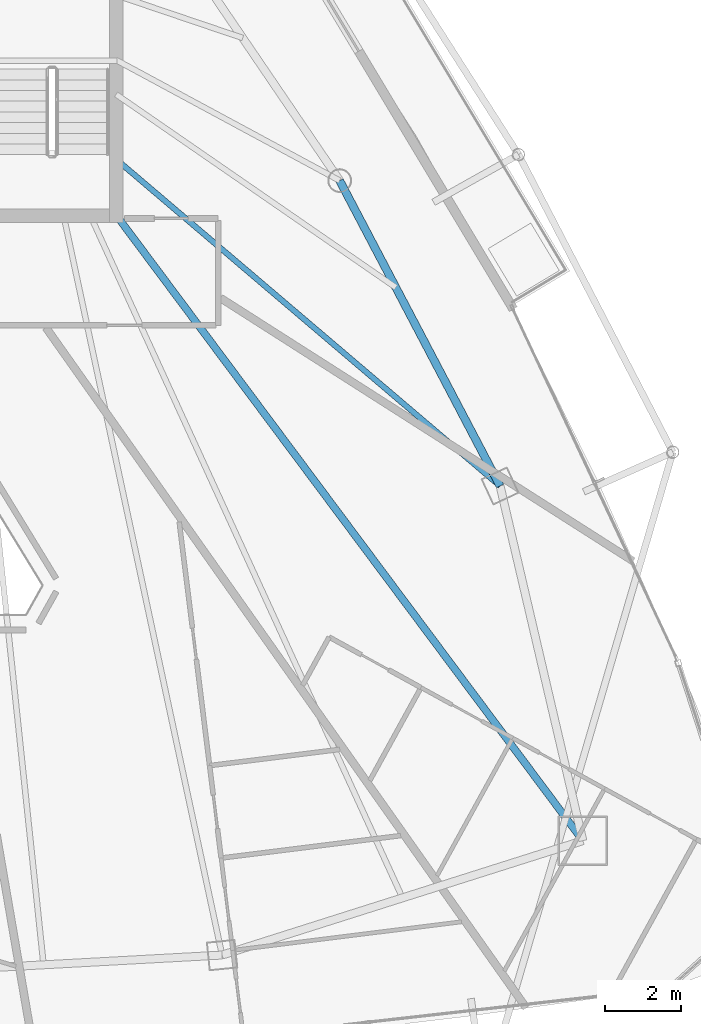
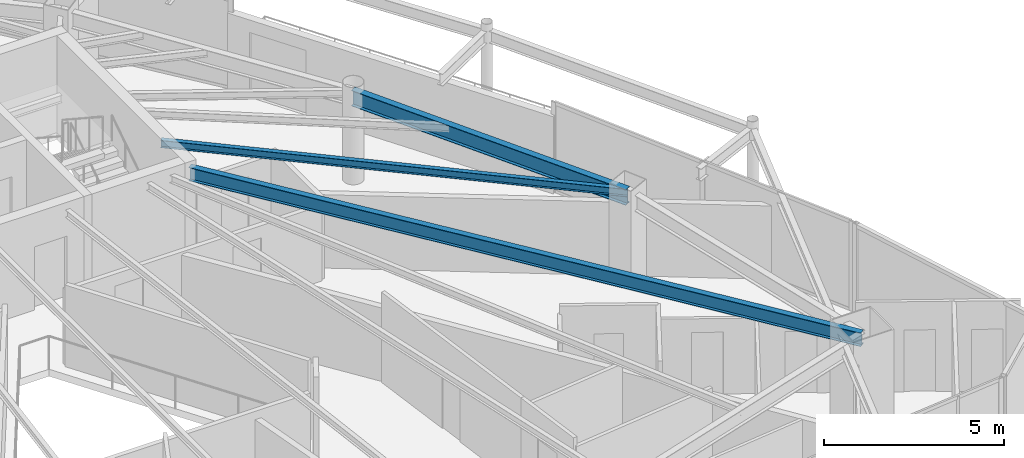
# One storey, part 19 of 33: 3 beams.
"""IFC4 building model written with IfcOpenShell, lengths in metres."""

from ifc_helpers import new_model, si_unit, direction, frame, origin, origin_2d, place, context, subcontext, project, spatial, i_section, extrude, material, material_profile, profile_set, type_object, element, save


model = new_model("IFC4")

# Units and contexts
model_context = context("Model", 3, precision=1e-05, world=origin(), true_north=direction((0.0, 1.0)))
body_context = subcontext(model_context, "Body", "Model", "MODEL_VIEW")
ifc_project = project(units=[si_unit("LENGTHUNIT", "METRE"), si_unit("AREAUNIT", "SQUARE_METRE"), si_unit("VOLUMEUNIT", "CUBIC_METRE"), si_unit("PLANEANGLEUNIT", "RADIAN"), si_unit("MASSUNIT", "GRAM", prefix="KILO")], contexts=[model_context])

# Site, building, storey
site_placement = place(None, origin())
site = spatial("IfcSite", under=ifc_project, at=site_placement, CompositionType="ELEMENT")
building_placement = place(site_placement, origin())
building = spatial("IfcBuilding", under=site, at=building_placement, Name="Orvanel Arch Residences", CompositionType="ELEMENT")
storey_placement = place(building_placement, frame((0.0, 0.0, 206.300048828125)))
storey = spatial("IfcBuildingStorey", under=building, at=storey_placement, Name="L58", CompositionType="ELEMENT", Elevation=206.300048828125)

# Beams
ifc_material = material(Name="Structural steel AS/NZS 3679.1 Grade 300 (300 MPa)", Category="steel")
ifc_material_profile_1 = material_profile(ifc_material, i_section(OverallWidth=0.19091796875, OverallDepth=0.4599609375, WebThickness=0.010009765625, FlangeThickness=0.01611328125, at=origin_2d()), Name="460UB82.1")
ifc_profile_set_1 = profile_set([ifc_material_profile_1], Name="Structural steel AS/NZS 3679.1 Grade 300 (300 MPa)")
beam_type_1 = type_object("IfcBeamType", Name="BG-460UB", PredefinedType="BEAM", material=ifc_profile_set_1)
beam_1_placement = place(storey_placement, frame((39.625, 26.675048828125, 2.829833984375), z_axis=(0.597893733742, -0.801575375839, 0.0), x_axis=(0.801575375839, 0.597893733742, 0.0)))
element("IfcBeam", 1, at=beam_1_placement, inside=storey, type_object=beam_type_1, Name="L58 South-East Radial Girder", PredefinedType="BEAM", context=body_context, shape_type="SweptSolid", body=[
    extrude(i_section(OverallWidth=0.19091796875, OverallDepth=0.4599609375, WebThickness=0.010009765625, FlangeThickness=0.01611328125, at=origin_2d()), origin(), (0.0, 0.0, 1.0), 20.36474609375),
])
ifc_material_profile_2 = material_profile(ifc_material, i_section(OverallWidth=0.14599609375, OverallDepth=0.251953125, WebThickness=0.006103515625, FlangeThickness=0.008544921875, at=origin_2d()), Name="250UB31.4")
ifc_profile_set_2 = profile_set([ifc_material_profile_2], Name="Structural steel AS/NZS 3679.1 Grade 300 (300 MPa)")
beam_type_2 = type_object("IfcBeamType", Name="BJ-250UB", PredefinedType="JOIST", material=ifc_profile_set_2)
beam_2_placement = place(storey_placement, frame((39.574951171875, 28.199951171875, 2.933837890625), z_axis=(0.761622669031, -0.64802076357, 0.0), x_axis=(0.64802076357, 0.761622669031, 0.0)))
element("IfcBeam", 2, at=beam_2_placement, inside=storey, type_object=beam_type_2, Name="L58 E Wing Floor Joist", PredefinedType="JOIST", context=body_context, shape_type="SweptSolid", body=[
    extrude(i_section(OverallWidth=0.14599609375, OverallDepth=0.251953125, WebThickness=0.006103515625, FlangeThickness=0.008544921875, at=origin_2d()), origin(), (0.0, 0.0, 1.0), 13.2060546875),
])
ifc_material_profile_3 = material_profile(ifc_material, i_section(OverallWidth=0.208984375, OverallDepth=0.532958984375, WebThickness=0.01025390625, FlangeThickness=0.015625, at=origin_2d()), Name="530UB92.4")
ifc_profile_set_3 = profile_set([ifc_material_profile_3], Name="Structural steel AS/NZS 3679.1 Grade 300 (300 MPa)")
beam_type_3 = type_object("IfcBeamType", Name="SP-530UB", PredefinedType="SPANDREL", material=ifc_profile_set_3)
beam_3_placement = place(storey_placement, frame((49.633056640625, 19.64208984375, 2.7939453125), z_axis=(-0.465064762793, 0.885276660942, 0.0), x_axis=(-0.885276660942, -0.465064762793, 0.0)))
element("IfcBeam", 3, at=beam_3_placement, inside=storey, type_object=beam_type_3, Name="L58 Perimeter Spandrel Beam 07", PredefinedType="SPANDREL", context=body_context, shape_type="SweptSolid", body=[
    extrude(i_section(OverallWidth=0.208984375, OverallDepth=0.532958984375, WebThickness=0.01025390625, FlangeThickness=0.015625, at=origin_2d()), origin(), (0.0, 0.0, 1.0), 9.03564453125),
])

save(model, "model.ifc")
